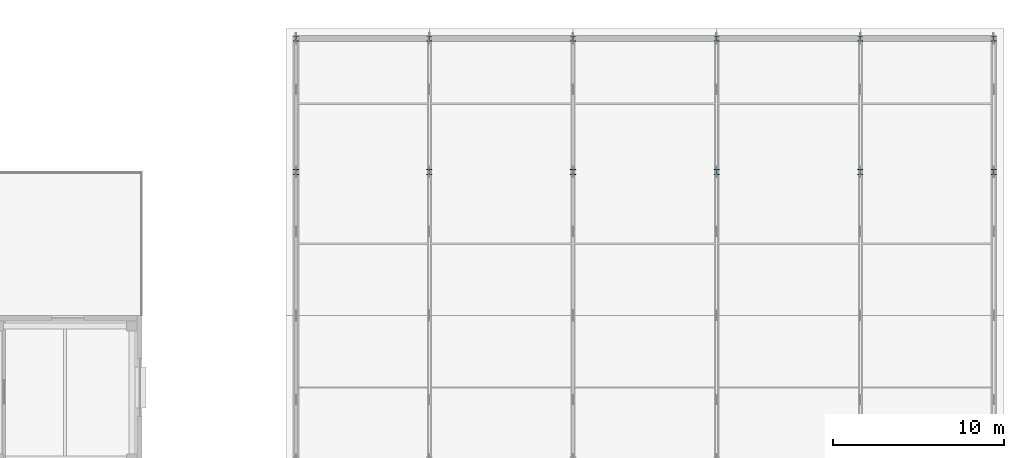
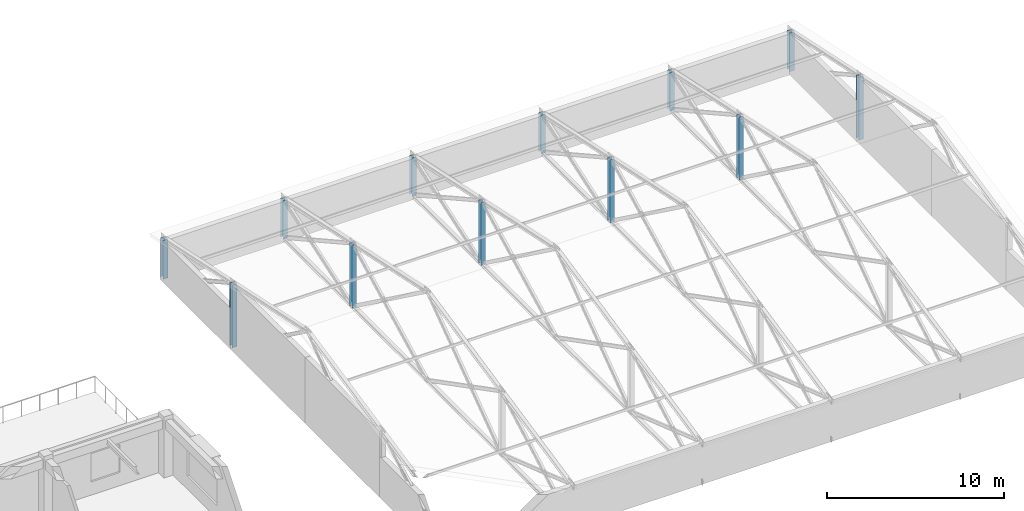
# One storey, part 17 of 123: 12 columns.
"""IFC4 building model written with IfcOpenShell, lengths in metres."""

from ifc_helpers import new_model, si_unit, direction, frame, origin, origin_2d, place, context, subcontext, project, spatial, i_section, extrude, material, material_profile, profile_set, type_object, element, save


model = new_model("IFC4")

# Units and contexts
model_context = context("Model", 3, precision=1e-05, world=origin(), true_north=direction((0.0, 1.0)))
body_context = subcontext(model_context, "Body", "Model", "MODEL_VIEW")
ifc_project = project(units=[si_unit("LENGTHUNIT", "METRE"), si_unit("AREAUNIT", "SQUARE_METRE"), si_unit("VOLUMEUNIT", "CUBIC_METRE"), si_unit("PLANEANGLEUNIT", "RADIAN"), si_unit("MASSUNIT", "GRAM", prefix="KILO")], contexts=[model_context])

# Site, building, storey
site_placement = place(None, origin())
site = spatial("IfcSite", under=ifc_project, at=site_placement, CompositionType="ELEMENT")
building_placement = place(site_placement, origin())
building = spatial("IfcBuilding", under=site, at=building_placement, Name="Zayran Congress Hotel", CompositionType="ELEMENT")
storey_placement = place(building_placement, frame((0.0, 0.0, 15.0)))
storey = spatial("IfcBuildingStorey", under=building, at=storey_placement, Name="L03", CompositionType="ELEMENT", Elevation=15.0)

# Columns
ifc_material = material(Name="Steel S355", Category="steel")
ifc_material_profile = material_profile(ifc_material, i_section(OverallWidth=0.300048828125, OverallDepth=0.300048828125, WebThickness=0.010986328125, FlangeThickness=0.01904296875, at=origin_2d()), Name="HEB 300")
ifc_profile_set = profile_set([ifc_material_profile], Name="Steel S355")
column_type = type_object("IfcColumnType", Name="TP-CL-08", PredefinedType="COLUMN", material=ifc_profile_set)
column_1_placement = place(storey_placement, frame((143.39990234375, 109.60009765625, 0.0), z_axis=(0.0, 0.0, 1.0), x_axis=(1.0, 0.0, 0.0)))
element("IfcColumn", 1, at=column_1_placement, inside=storey, type_object=column_type, Name="COL-V2-EAV-1436", PredefinedType="COLUMN", context=body_context, shape_type="SweptSolid", body=[
    extrude(i_section(OverallWidth=0.300048828125, OverallDepth=0.300048828125, WebThickness=0.010986328125, FlangeThickness=0.01904296875, at=origin_2d()), origin(), (0.0, 0.0, 1.0), 4.33544921875),
])
column_2_placement = place(storey_placement, frame((143.39990234375, 117.39990234375, 0.0), z_axis=(0.0, 0.0, 1.0), x_axis=(1.0, 0.0, 0.0)))
element("IfcColumn", 2, at=column_2_placement, inside=storey, type_object=column_type, Name="COL-V2-EAV-1437", PredefinedType="COLUMN", context=body_context, shape_type="SweptSolid", body=[
    extrude(i_section(OverallWidth=0.300048828125, OverallDepth=0.300048828125, WebThickness=0.010986328125, FlangeThickness=0.01904296875, at=origin_2d()), origin(), (0.0, 0.0, 1.0), 2.677490234375),
])
column_3_placement = place(storey_placement, frame((151.199951171875, 109.60009765625, 0.0), z_axis=(0.0, 0.0, 1.0), x_axis=(1.0, 0.0, 0.0)))
element("IfcColumn", 3, at=column_3_placement, inside=storey, type_object=column_type, Name="COL-V2-EAV-1440", PredefinedType="COLUMN", context=body_context, shape_type="SweptSolid", body=[
    extrude(i_section(OverallWidth=0.300048828125, OverallDepth=0.300048828125, WebThickness=0.010986328125, FlangeThickness=0.01904296875, at=origin_2d()), origin(), (0.0, 0.0, 1.0), 4.33544921875),
])
column_4_placement = place(storey_placement, frame((151.199951171875, 117.39990234375, 0.0), z_axis=(0.0, 0.0, 1.0), x_axis=(1.0, 0.0, 0.0)))
element("IfcColumn", 4, at=column_4_placement, inside=storey, type_object=column_type, Name="COL-V2-EAV-1441", PredefinedType="COLUMN", context=body_context, shape_type="SweptSolid", body=[
    extrude(i_section(OverallWidth=0.300048828125, OverallDepth=0.300048828125, WebThickness=0.010986328125, FlangeThickness=0.01904296875, at=origin_2d()), origin(), (0.0, 0.0, 1.0), 2.677490234375),
])
column_5_placement = place(storey_placement, frame((159.60009765625, 109.60009765625, 0.0), z_axis=(0.0, 0.0, 1.0), x_axis=(1.0, 0.0, 0.0)))
element("IfcColumn", 5, at=column_5_placement, inside=storey, type_object=column_type, Name="COL-V2-EAV-1444", PredefinedType="COLUMN", context=body_context, shape_type="SweptSolid", body=[
    extrude(i_section(OverallWidth=0.300048828125, OverallDepth=0.300048828125, WebThickness=0.010986328125, FlangeThickness=0.01904296875, at=origin_2d()), origin(), (0.0, 0.0, 1.0), 4.33544921875),
])
column_6_placement = place(storey_placement, frame((159.60009765625, 117.39990234375, 0.0), z_axis=(0.0, 0.0, 1.0), x_axis=(1.0, 0.0, 0.0)))
element("IfcColumn", 6, at=column_6_placement, inside=storey, type_object=column_type, Name="COL-V2-EAV-1445", PredefinedType="COLUMN", context=body_context, shape_type="SweptSolid", body=[
    extrude(i_section(OverallWidth=0.300048828125, OverallDepth=0.300048828125, WebThickness=0.010986328125, FlangeThickness=0.01904296875, at=origin_2d()), origin(), (0.0, 0.0, 1.0), 2.677490234375),
])
column_7_placement = place(storey_placement, frame((168.0, 109.60009765625, 0.0), z_axis=(0.0, 0.0, 1.0), x_axis=(1.0, 0.0, 0.0)))
element("IfcColumn", 7, at=column_7_placement, inside=storey, type_object=column_type, Name="COL-V2-EAV-1448", PredefinedType="COLUMN", context=body_context, shape_type="SweptSolid", body=[
    extrude(i_section(OverallWidth=0.300048828125, OverallDepth=0.300048828125, WebThickness=0.010986328125, FlangeThickness=0.01904296875, at=origin_2d()), origin(), (0.0, 0.0, 1.0), 4.33544921875),
])
column_8_placement = place(storey_placement, frame((168.0, 117.39990234375, 0.0), z_axis=(0.0, 0.0, 1.0), x_axis=(1.0, 0.0, 0.0)))
element("IfcColumn", 8, at=column_8_placement, inside=storey, type_object=column_type, Name="COL-V2-EAV-1449", PredefinedType="COLUMN", context=body_context, shape_type="SweptSolid", body=[
    extrude(i_section(OverallWidth=0.300048828125, OverallDepth=0.300048828125, WebThickness=0.010986328125, FlangeThickness=0.01904296875, at=origin_2d()), origin(), (0.0, 0.0, 1.0), 2.677490234375),
])
column_9_placement = place(storey_placement, frame((176.39990234375, 109.60009765625, 0.0), z_axis=(0.0, 0.0, 1.0), x_axis=(1.0, 0.0, 0.0)))
element("IfcColumn", 9, at=column_9_placement, inside=storey, type_object=column_type, Name="COL-V2-EAV-1452", PredefinedType="COLUMN", context=body_context, shape_type="SweptSolid", body=[
    extrude(i_section(OverallWidth=0.300048828125, OverallDepth=0.300048828125, WebThickness=0.010986328125, FlangeThickness=0.01904296875, at=origin_2d()), origin(), (0.0, 0.0, 1.0), 4.33544921875),
])
column_10_placement = place(storey_placement, frame((176.39990234375, 117.39990234375, 0.0), z_axis=(0.0, 0.0, 1.0), x_axis=(1.0, 0.0, 0.0)))
element("IfcColumn", 10, at=column_10_placement, inside=storey, type_object=column_type, Name="COL-V2-EAV-1453", PredefinedType="COLUMN", context=body_context, shape_type="SweptSolid", body=[
    extrude(i_section(OverallWidth=0.300048828125, OverallDepth=0.300048828125, WebThickness=0.010986328125, FlangeThickness=0.01904296875, at=origin_2d()), origin(), (0.0, 0.0, 1.0), 2.677490234375),
])
column_11_placement = place(storey_placement, frame((184.199951171875, 109.60009765625, 0.0), z_axis=(0.0, 0.0, 1.0), x_axis=(1.0, 0.0, 0.0)))
element("IfcColumn", 11, at=column_11_placement, inside=storey, type_object=column_type, Name="COL-V2-EAV-1456", PredefinedType="COLUMN", context=body_context, shape_type="SweptSolid", body=[
    extrude(i_section(OverallWidth=0.300048828125, OverallDepth=0.300048828125, WebThickness=0.010986328125, FlangeThickness=0.01904296875, at=origin_2d()), origin(), (0.0, 0.0, 1.0), 4.33544921875),
])
column_12_placement = place(storey_placement, frame((184.199951171875, 117.39990234375, 0.0), z_axis=(0.0, 0.0, 1.0), x_axis=(1.0, 0.0, 0.0)))
element("IfcColumn", 12, at=column_12_placement, inside=storey, type_object=column_type, Name="COL-V2-EAV-1457", PredefinedType="COLUMN", context=body_context, shape_type="SweptSolid", body=[
    extrude(i_section(OverallWidth=0.300048828125, OverallDepth=0.300048828125, WebThickness=0.010986328125, FlangeThickness=0.01904296875, at=origin_2d()), origin(), (0.0, 0.0, 1.0), 2.677490234375),
])

save(model, "model.ifc")
